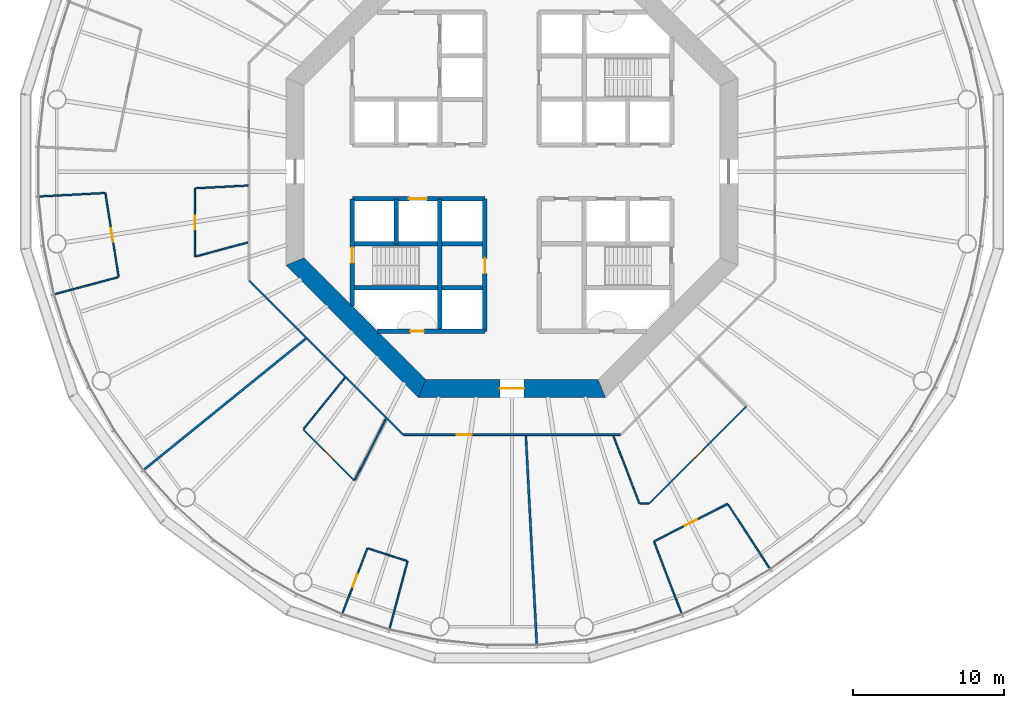
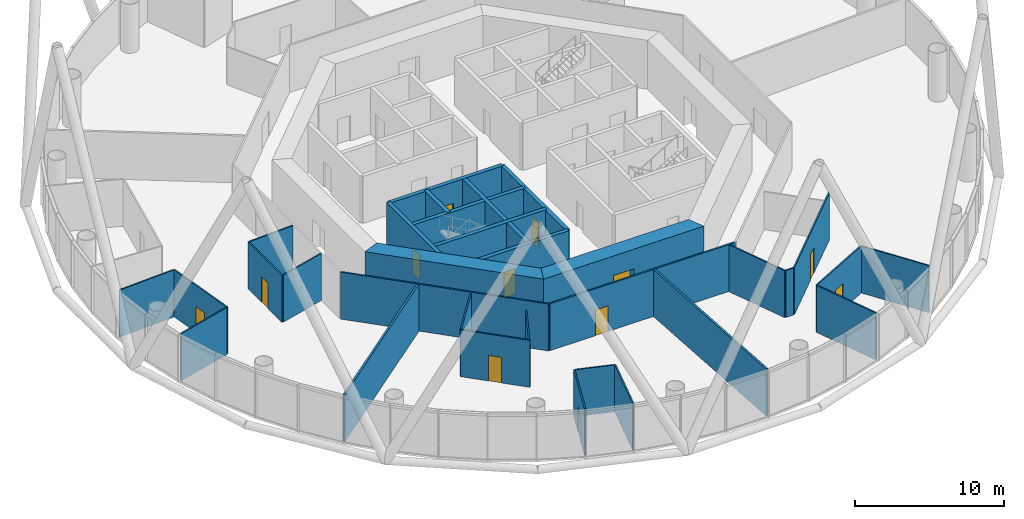
# One storey, part 3 of 13: 32 walls, 12 doors, 12 openings.
"""IFC4 building model written with IfcOpenShell, lengths in metres."""

from ifc_helpers import new_model, si_unit, direction, frame, frame_2d, origin, place, context, subcontext, project, spatial, polyline, rectangle, outline, extrude, material, layer, layer_set, type_object, element, fill, save


model = new_model("IFC4")

# Units and contexts
model_context = context("Model", 3, precision=1e-05, world=origin(), true_north=direction((0.0, 1.0)))
body_context = subcontext(model_context, "Body", "Model", "MODEL_VIEW")
ifc_project = project(units=[si_unit("LENGTHUNIT", "METRE"), si_unit("AREAUNIT", "SQUARE_METRE"), si_unit("VOLUMEUNIT", "CUBIC_METRE"), si_unit("PLANEANGLEUNIT", "RADIAN"), si_unit("MASSUNIT", "GRAM", prefix="KILO")], contexts=[model_context])

# Site, building, storey
site_placement = place(None, origin())
site = spatial("IfcSite", under=ifc_project, at=site_placement, CompositionType="ELEMENT")
building_placement = place(site_placement, origin())
building = spatial("IfcBuilding", under=site, at=building_placement, Name="Entoto Ring Tower", CompositionType="ELEMENT")
storey_placement = place(building_placement, frame((0.0, 0.0, 96.0)))
storey = spatial("IfcBuildingStorey", under=building, at=storey_placement, Name="L21", CompositionType="ELEMENT", Elevation=96.0)

# Wall, opening, door
ifc_material_1 = material(Name="Concrete C40/50", Category="concrete")
ifc_layer_1 = layer(ifc_material_1, 0.300048828125)
ifc_layer_set_1 = layer_set([ifc_layer_1], Name="Concrete C40/50")
wall_type_1 = type_object("IfcWallType", Name="Core enclosure wall 300 mm reinforced concrete", PredefinedType="SOLIDWALL", material=ifc_layer_set_1)
wall_1_placement = place(storey_placement, frame((88.199951171875, 69.39990234375, 0.0), z_axis=(0.0, 0.0, 1.0), x_axis=(0.0, 1.0, 0.0)))
wall_1 = element("IfcWall", 1, at=wall_1_placement, inside=storey, type_object=wall_type_1, Name="wall-L21-009", PredefinedType="SOLIDWALL", context=body_context, shape_type="SweptSolid", body=[
    extrude(rectangle(XDim=8.800048828125, YDim=0.300048828125, at=frame_2d((4.39990234375, 0.0))), origin(), (0.0, 0.0, 1.0), 3.85009765625),
])
opening_1_placement = place(wall_1_placement, frame((3.85009765625, 0.0, 0.0)))
opening_1 = element("IfcOpeningElement", 2, at=opening_1_placement, cuts=wall_1, Name="Opening K-13", PredefinedType="OPENING", context=body_context, shape_type="SweptSolid", body=[
    extrude(rectangle(XDim=1.0, YDim=2.10009765625, at=frame_2d((0.5, 1.050048828125))), frame((0.0, 0.16015625, 0.0), z_axis=(0.0, -1.0, 0.0), x_axis=(1.0, 0.0, 0.0)), (0.0, 0.0, 1.0), 0.320068359375),
])
ifc_material_2 = material(Name="Steel door leaf, fire rated", Category="steel")
ifc_layer_2 = layer(ifc_material_2, 0.050048828125)
ifc_layer_set_2 = layer_set([ifc_layer_2], Name="Steel door leaf, fire rated")
door_type_1 = type_object("IfcDoorType", Name="Accessible door 1000 x 2100 single leaf", OperationType="NOTDEFINED", PredefinedType="DOOR", material=ifc_layer_set_2)
door_1_placement = place(opening_1_placement, origin())
door_1 = element("IfcDoor", 3, at=door_1_placement, inside=storey, type_object=door_type_1, Name="Door K-13", OperationType="SINGLE_SWING_LEFT", OverallHeight=2.10009765625, OverallWidth=1.0, PredefinedType="DOOR", context=body_context, shape_type="SweptSolid", body=[
    extrude(rectangle(XDim=1.0, YDim=2.10009765625, at=frame_2d((0.5, 1.050048828125))), frame((0.0, 0.02490234375, 0.0), z_axis=(0.0, -1.0, 0.0), x_axis=(1.0, 0.0, 0.0)), (0.0, 0.0, 1.0), 0.050048828125),
])
fill(opening_1, door_1)

# Walls
wall_2_placement = place(storey_placement, frame((85.199951171875, 69.39990234375, 0.0), z_axis=(0.0, 0.0, 1.0), x_axis=(0.0, 1.0, 0.0)))
element("IfcWall", 4, at=wall_2_placement, inside=storey, type_object=wall_type_1, Name="wall-L21-011", PredefinedType="SOLIDWALL", context=body_context, shape_type="SweptSolid", body=[
    extrude(rectangle(XDim=8.800048828125, YDim=0.300048828125, at=frame_2d((4.39990234375, 0.0))), origin(), (0.0, 0.0, 1.0), 3.85009765625),
])
wall_3_placement = place(storey_placement, frame((82.300048828125, 75.199951171875, 0.0), z_axis=(0.0, 0.0, 1.0), x_axis=(0.0, 1.0, 0.0)))
element("IfcWall", 5, at=wall_3_placement, inside=storey, type_object=wall_type_1, Name="wall-L21-013", PredefinedType="SOLIDWALL", context=body_context, shape_type="SweptSolid", body=[
    extrude(rectangle(XDim=3.0, YDim=0.300048828125, at=frame_2d((1.5, 0.0))), origin(), (0.0, 0.0, 1.0), 3.85009765625),
])

# Wall, opening, door
wall_4_placement = place(storey_placement, frame((79.39990234375, 71.083984375, 0.0), z_axis=(0.0, 0.0, 1.0), x_axis=(0.0, 1.0, 0.0)))
wall_4 = element("IfcWall", 6, at=wall_4_placement, inside=storey, type_object=wall_type_1, Name="wall-L21-015", PredefinedType="SOLIDWALL", context=body_context, shape_type="SweptSolid", body=[
    extrude(rectangle(XDim=7.115966796875, YDim=0.300048828125, at=frame_2d((3.55810546875, 0.0))), origin(), (0.0, 0.0, 1.0), 3.85009765625),
])
opening_2_placement = place(wall_4_placement, frame((2.8662109375, 0.0, 0.0)))
opening_2 = element("IfcOpeningElement", 7, at=opening_2_placement, cuts=wall_4, Name="Opening K-17", PredefinedType="OPENING", context=body_context, shape_type="SweptSolid", body=[
    extrude(rectangle(XDim=1.0, YDim=2.10009765625, at=frame_2d((0.5, 1.050048828125))), frame((0.0, 0.16015625, 0.0), z_axis=(0.0, -1.0, 0.0), x_axis=(1.0, 0.0, 0.0)), (0.0, 0.0, 1.0), 0.320068359375),
])
ifc_material_3 = material(Name="Steel door leaf, fire rated", Category="steel")
ifc_layer_3 = layer(ifc_material_3, 0.050048828125)
ifc_layer_set_3 = layer_set([ifc_layer_3], Name="Steel door leaf, fire rated")
door_type_2 = type_object("IfcDoorType", Name="Fire door FD60 1000 x 2100 single leaf", OperationType="NOTDEFINED", PredefinedType="DOOR", material=ifc_layer_set_3)
door_2_placement = place(opening_2_placement, frame((1.0, 0.0, 0.0), z_axis=(0.0, 0.0, 1.0), x_axis=(-1.0, 0.0, 0.0)))
door_2 = element("IfcDoor", 8, at=door_2_placement, inside=storey, type_object=door_type_2, Name="Door K-17", OperationType="SINGLE_SWING_LEFT", OverallHeight=2.10009765625, OverallWidth=1.0, PredefinedType="DOOR", context=body_context, shape_type="SweptSolid", body=[
    extrude(rectangle(XDim=1.0, YDim=2.10009765625, at=frame_2d((0.5, 1.050048828125))), frame((0.0, 0.02490234375, 0.0), z_axis=(0.0, -1.0, 0.0), x_axis=(1.0, 0.0, 0.0)), (0.0, 0.0, 1.0), 0.050048828125),
])
fill(opening_2, door_2)

wall_5_placement = place(storey_placement, frame((81.083984375, 69.39990234375, 0.0), z_axis=(0.0, 0.0, 1.0), x_axis=(1.0, 0.0, 0.0)))
wall_5 = element("IfcWall", 9, at=wall_5_placement, inside=storey, type_object=wall_type_1, Name="wall-L21-017", PredefinedType="SOLIDWALL", context=body_context, shape_type="SweptSolid", body=[
    extrude(rectangle(XDim=7.115966796875, YDim=0.300048828125, at=frame_2d((3.55810546875, 0.0))), origin(), (0.0, 0.0, 1.0), 3.85009765625),
])
opening_3_placement = place(wall_5_placement, frame((2.166015625, 0.0, 0.0)))
opening_3 = element("IfcOpeningElement", 10, at=opening_3_placement, cuts=wall_5, Name="Opening K-20", PredefinedType="OPENING", context=body_context, shape_type="SweptSolid", body=[
    extrude(rectangle(XDim=0.89990234375, YDim=2.10009765625, at=frame_2d((0.449951171875, 1.050048828125))), frame((0.0, 0.16015625, 0.0), z_axis=(0.0, -1.0, 0.0), x_axis=(1.0, 0.0, 0.0)), (0.0, 0.0, 1.0), 0.320068359375),
])
ifc_material_4 = material(Name="Steel door leaf, fire rated", Category="steel")
ifc_layer_4 = layer(ifc_material_4, 0.050048828125)
ifc_layer_set_4 = layer_set([ifc_layer_4], Name="Steel door leaf, fire rated")
door_type_3 = type_object("IfcDoorType", Name="Riser door FD60 900 x 2100 single leaf", OperationType="NOTDEFINED", PredefinedType="DOOR", material=ifc_layer_set_4)
door_3_placement = place(opening_3_placement, origin())
door_3 = element("IfcDoor", 11, at=door_3_placement, inside=storey, type_object=door_type_3, Name="Door K-20", OperationType="SINGLE_SWING_RIGHT", OverallHeight=2.10009765625, OverallWidth=0.89990234375, PredefinedType="DOOR", context=body_context, shape_type="SweptSolid", body=[
    extrude(rectangle(XDim=0.89990234375, YDim=2.10009765625, at=frame_2d((0.449951171875, 1.050048828125))), frame((0.0, 0.02490234375, 0.0), z_axis=(0.0, -1.0, 0.0), x_axis=(1.0, 0.0, 0.0)), (0.0, 0.0, 1.0), 0.050048828125),
])
fill(opening_3, door_3)

# Walls
for number, where, z_axis, x_axis, name in (
    (12, (79.39990234375, 72.300048828125, 0.0), (0.0, 0.0, 1.0), (1.0, 0.0, 0.0), "wall-L21-019"),
    (13, (79.39990234375, 75.199951171875, 0.0), (0.0, 0.0, 1.0), (1.0, 0.0, 0.0), "wall-L21-021"),
):
    element("IfcWall", number, at=place(storey_placement, frame(where, z_axis=z_axis, x_axis=x_axis)), inside=storey, type_object=wall_type_1, Name=name, PredefinedType="SOLIDWALL", context=body_context, shape_type="SweptSolid", body=[
        extrude(rectangle(XDim=8.800048828125, YDim=0.300048828125, at=frame_2d((4.39990234375, 0.0))), origin(), (0.0, 0.0, 1.0), 3.85009765625),
    ])

# Wall, opening, door
wall_6_placement = place(storey_placement, frame((79.39990234375, 78.199951171875, 0.0), z_axis=(0.0, 0.0, 1.0), x_axis=(1.0, 0.0, 0.0)))
wall_6 = element("IfcWall", 14, at=wall_6_placement, inside=storey, type_object=wall_type_1, Name="wall-L21-023", PredefinedType="SOLIDWALL", context=body_context, shape_type="SweptSolid", body=[
    extrude(rectangle(XDim=8.800048828125, YDim=0.300048828125, at=frame_2d((4.39990234375, 0.0))), origin(), (0.0, 0.0, 1.0), 3.85009765625),
])
opening_4_placement = place(wall_6_placement, frame((3.75, 0.0, 0.0)))
opening_4 = element("IfcOpeningElement", 15, at=opening_4_placement, cuts=wall_6, Name="Opening LD", PredefinedType="OPENING", context=body_context, shape_type="SweptSolid", body=[
    extrude(rectangle(XDim=1.199951171875, YDim=2.10009765625, at=frame_2d((0.60009765625, 1.050048828125))), frame((0.0, 0.16015625, 0.0), z_axis=(0.0, -1.0, 0.0), x_axis=(1.0, 0.0, 0.0)), (0.0, 0.0, 1.0), 0.320068359375),
])
ifc_material_5 = material(Name="Steel and glass door leaf", Category="steel")
ifc_layer_5 = layer(ifc_material_5, 0.050048828125)
ifc_layer_set_5 = layer_set([ifc_layer_5], Name="Steel and glass door leaf")
door_type_4 = type_object("IfcDoorType", Name="Landing door 1200 x 2100 sliding", OperationType="DOUBLE_DOOR_SLIDING", PredefinedType="DOOR", material=ifc_layer_set_5)
door_4_placement = place(opening_4_placement, origin())
door_4 = element("IfcDoor", 16, at=door_4_placement, inside=storey, type_object=door_type_4, Name="Landing door LB6-LR", OperationType="SLIDING_TO_RIGHT", OverallHeight=2.10009765625, OverallWidth=1.199951171875, PredefinedType="DOOR", context=body_context, shape_type="SweptSolid", body=[
    extrude(rectangle(XDim=1.199951171875, YDim=2.10009765625, at=frame_2d((0.60009765625, 1.050048828125))), frame((0.0, 0.02490234375, 0.0), z_axis=(0.0, -1.0, 0.0), x_axis=(1.0, 0.0, 0.0)), (0.0, 0.0, 1.0), 0.050048828125),
])
fill(opening_4, door_4)

# Wall
ifc_material_6 = material(Name="Concrete C60/75", Category="concrete")
ifc_layer_6 = layer(ifc_material_6, 1.199951171875)
ifc_layer_set_6 = layer_set([ifc_layer_6], Name="Concrete C60/75")
wall_type_2 = type_object("IfcWallType", Name="Core shear wall 1200 mm reinforced concrete C60/75", PredefinedType="SHEAR", material=ifc_layer_set_6)
wall_7_placement = place(storey_placement, frame((75.60009765625, 74.035400390625, 0.0), z_axis=(0.0, 0.0, 1.0), x_axis=(0.707106781187, -0.707106781187, 0.0)))
element("IfcWall", 17, at=wall_7_placement, inside=storey, type_object=wall_type_2, Name="wall-L21-core-5", PredefinedType="SHEAR", context=body_context, shape_type="SweptSolid", body=[
    extrude(outline(polyline([(-0.24853515625, -0.60009765625), (12.177734375, -0.60009765625), (11.6806640625, 0.60009765625), (0.24853515625, 0.60009765625), (-0.24853515625, -0.60009765625)])), origin(), (0.0, 0.0, 1.0), 4.0),
])

# Wall, opening, door
wall_8_placement = place(storey_placement, frame((84.035400390625, 65.60009765625, 0.0), z_axis=(0.0, 0.0, 1.0), x_axis=(1.0, 0.0, 0.0)))
wall_8 = element("IfcWall", 18, at=wall_8_placement, inside=storey, type_object=wall_type_2, Name="wall-L21-core-6", PredefinedType="SHEAR", context=body_context, shape_type="SweptSolid", body=[
    extrude(outline(polyline([(-0.24853515625, -0.60009765625), (12.177734375, -0.60009765625), (11.6806640625, 0.60009765625), (0.24853515625, 0.60009765625), (-0.24853515625, -0.60009765625)])), origin(), (0.0, 0.0, 1.0), 4.0),
])
opening_5_placement = place(wall_8_placement, frame((5.164794921875, 0.0, 0.0)))
opening_5 = element("IfcOpeningElement", 19, at=opening_5_placement, cuts=wall_8, Name="Opening K-04", PredefinedType="OPENING", context=body_context, shape_type="SweptSolid", body=[
    extrude(rectangle(XDim=1.60009765625, YDim=2.39990234375, at=frame_2d((0.800048828125, 1.199951171875))), frame((0.0, 0.60986328125, 0.0), z_axis=(0.0, -1.0, 0.0), x_axis=(1.0, 0.0, 0.0)), (0.0, 0.0, 1.0), 1.219970703125),
])
ifc_material_7 = material(Name="Steel door leaf, fire rated", Category="steel")
ifc_layer_7 = layer(ifc_material_7, 0.050048828125)
ifc_layer_set_7 = layer_set([ifc_layer_7], Name="Steel door leaf, fire rated")
door_type_5 = type_object("IfcDoorType", Name="Entrance door FD60 1600 x 2400 double leaf", OperationType="DOUBLE_DOOR_SINGLE_SWING", PredefinedType="DOOR", material=ifc_layer_set_7)
door_5_placement = place(opening_5_placement, origin())
door_5 = element("IfcDoor", 20, at=door_5_placement, inside=storey, type_object=door_type_5, Name="Entrance door K-04", OperationType="DOUBLE_DOOR_SINGLE_SWING", OverallHeight=2.39990234375, OverallWidth=1.60009765625, PredefinedType="DOOR", context=body_context, shape_type="SweptSolid", body=[
    extrude(rectangle(XDim=1.60009765625, YDim=2.39990234375, at=frame_2d((0.800048828125, 1.199951171875))), frame((0.0, 0.02490234375, 0.0), z_axis=(0.0, -1.0, 0.0), x_axis=(1.0, 0.0, 0.0)), (0.0, 0.0, 1.0), 0.050048828125),
])
fill(opening_5, door_5)

# Wall
ifc_material_8 = material(Name="Fire-resisting plasterboard on steel studs", Category="steel")
ifc_layer_8 = layer(ifc_material_8, 0.125)
ifc_layer_set_8 = layer_set([ifc_layer_8], Name="Fire-resisting plasterboard on steel studs")
wall_type_3 = type_object("IfcWallType", Name="Corridor wall 125 mm one-hour plasterboard on steel studs", PredefinedType="PARTITIONING", material=ifc_layer_set_8)
wall_9_placement = place(storey_placement, frame((82.766845703125, 62.53759765625, 0.0), z_axis=(0.0, 0.0, 1.0), x_axis=(-0.707106781187, 0.707106781187, 0.0)))
element("IfcWall", 21, at=wall_9_placement, inside=storey, type_object=wall_type_3, Name="partition-L21-002", PredefinedType="PARTITIONING", context=body_context, shape_type="SweptSolid", body=[
    extrude(rectangle(XDim=14.46630859375, YDim=0.125, at=frame_2d((7.233154296875, 0.0))), origin(), (0.0, 0.0, 1.0), 3.85009765625),
])

# Wall, opening, door
wall_10_placement = place(storey_placement, frame((82.810791015625, 62.53759765625, 0.0), z_axis=(0.0, 0.0, 1.0), x_axis=(1.0, 0.0, 0.0)))
wall_10 = element("IfcWall", 22, at=wall_10_placement, inside=storey, type_object=wall_type_3, Name="partition-L21-006", PredefinedType="PARTITIONING", context=body_context, shape_type="SweptSolid", body=[
    extrude(rectangle(XDim=14.37841796875, YDim=0.125, at=frame_2d((7.189208984375, 0.0))), origin(), (0.0, 0.0, 1.0), 3.85009765625),
])
opening_6_placement = place(wall_10_placement, frame((3.5302734375, 0.0, 0.0)))
opening_6 = element("IfcOpeningElement", 23, at=opening_6_placement, cuts=wall_10, Name="Opening A09-D14", PredefinedType="OPENING", context=body_context, shape_type="SweptSolid", body=[
    extrude(rectangle(XDim=1.0, YDim=2.10009765625, at=frame_2d((0.5, 1.050048828125))), frame((0.0, 0.072509765625, 0.0), z_axis=(0.0, -1.0, 0.0), x_axis=(1.0, 0.0, 0.0)), (0.0, 0.0, 1.0), 0.14501953125),
])
ifc_material_9 = material(Name="Fire-resisting timber door set", Category="wood")
door_type_6 = type_object("IfcDoorType", Name="Door 1000 x 2100 single leaf FD30S fire door", OperationType="NOTDEFINED", PredefinedType="DOOR", material=ifc_material_9)
door_6_placement = place(opening_6_placement, frame((1.0, 0.0, 0.0), z_axis=(0.0, 0.0, 1.0), x_axis=(-1.0, 0.0, 0.0)))
door_6 = element("IfcDoor", 24, at=door_6_placement, inside=storey, type_object=door_type_6, Name="Door A09-D14", OperationType="SINGLE_SWING_LEFT", OverallHeight=2.10009765625, OverallWidth=1.0, PredefinedType="DOOR", context=body_context, shape_type="SweptSolid", body=[
    extrude(rectangle(XDim=1.0, YDim=2.10009765625, at=frame_2d((0.5, 1.050048828125))), frame((0.0, 0.02490234375, 0.0), z_axis=(0.0, -1.0, 0.0), x_axis=(1.0, 0.0, 0.0)), (0.0, 0.0, 1.0), 0.050048828125),
])
fill(opening_6, door_6)

ifc_material_10 = material(Name="Plasterboard on steel studs", Category="steel")
ifc_layer_9 = layer(ifc_material_10, 0.10009765625)
ifc_layer_set_9 = layer_set([ifc_layer_9], Name="Plasterboard on steel studs")
wall_type_4 = type_object("IfcWallType", Name="Partition 100 mm plasterboard on steel studs", PredefinedType="PARTITIONING", material=ifc_layer_set_9)
wall_11_placement = place(storey_placement, frame((99.126220703125, 57.967529296875, 0.0), z_axis=(0.0, 0.0, 1.0), x_axis=(0.707106781187, 0.707106781187, 0.0)))
wall_11 = element("IfcWall", 25, at=wall_11_placement, inside=storey, type_object=wall_type_4, Name="partition-L21-014", PredefinedType="PARTITIONING", context=body_context, shape_type="SweptSolid", body=[
    extrude(rectangle(XDim=9.1259765625, YDim=0.10009765625, at=frame_2d((4.56298828125, 0.0))), origin(), (0.0, 0.0, 1.0), 3.85009765625),
])
opening_7_placement = place(wall_11_placement, frame((4.113037109375, 0.0, 0.0)))
opening_7 = element("IfcOpeningElement", 26, at=opening_7_placement, cuts=wall_11, Name="Opening A09-D02", PredefinedType="OPENING", context=body_context, shape_type="SweptSolid", body=[
    extrude(rectangle(XDim=0.89990234375, YDim=2.10009765625, at=frame_2d((0.449951171875, 1.050048828125))), frame((0.0, 0.06005859375, 0.0), z_axis=(0.0, -1.0, 0.0), x_axis=(1.0, 0.0, 0.0)), (0.0, 0.0, 1.0), 0.1201171875),
])
ifc_material_11 = material(Name="Veneered timber door leaf in timber frame", Category="wood")
door_type_7 = type_object("IfcDoorType", Name="Door 900 x 2100 single leaf timber veneer", OperationType="NOTDEFINED", PredefinedType="DOOR", material=ifc_material_11)
door_7_placement = place(opening_7_placement, origin())
door_7 = element("IfcDoor", 27, at=door_7_placement, inside=storey, type_object=door_type_7, Name="Door A09-D02", OperationType="SINGLE_SWING_RIGHT", OverallHeight=2.10009765625, OverallWidth=0.89990234375, PredefinedType="DOOR", context=body_context, shape_type="SweptSolid", body=[
    extrude(rectangle(XDim=0.89990234375, YDim=2.10009765625, at=frame_2d((0.449951171875, 1.050048828125))), frame((0.0, 0.02490234375, 0.0), z_axis=(0.0, -1.0, 0.0), x_axis=(1.0, 0.0, 0.0)), (0.0, 0.0, 1.0), 0.050048828125),
])
fill(opening_7, door_7)

wall_12_placement = place(storey_placement, frame((63.88134765625, 73.00146484375, 0.0), z_axis=(0.0, 0.0, 1.0), x_axis=(-0.156430514492, 0.987688966292, 0.0)))
wall_12 = element("IfcWall", 28, at=wall_12_placement, inside=storey, type_object=wall_type_4, Name="partition-L21-018", PredefinedType="PARTITIONING", context=body_context, shape_type="SweptSolid", body=[
    extrude(rectangle(XDim=5.65283203125, YDim=0.10009765625, at=frame_2d((2.826416015625, 0.0))), origin(), (0.0, 0.0, 1.0), 3.85009765625),
])
opening_8_placement = place(wall_12_placement, frame((2.37646484375, 0.0, 0.0)))
opening_8 = element("IfcOpeningElement", 29, at=opening_8_placement, cuts=wall_12, Name="Opening A09-D13", PredefinedType="OPENING", context=body_context, shape_type="SweptSolid", body=[
    extrude(rectangle(XDim=0.89990234375, YDim=2.10009765625, at=frame_2d((0.449951171875, 1.050048828125))), frame((0.0, 0.06005859375, 0.0), z_axis=(0.0, -1.0, 0.0), x_axis=(1.0, 0.0, 0.0)), (0.0, 0.0, 1.0), 0.1201171875),
])
door_8_placement = place(opening_8_placement, origin())
door_8 = element("IfcDoor", 30, at=door_8_placement, inside=storey, type_object=door_type_7, Name="Door A09-D13", OperationType="SINGLE_SWING_LEFT", OverallHeight=2.10009765625, OverallWidth=0.89990234375, PredefinedType="DOOR", context=body_context, shape_type="SweptSolid", body=[
    extrude(rectangle(XDim=0.89990234375, YDim=2.10009765625, at=frame_2d((0.449951171875, 1.050048828125))), frame((0.0, 0.02490234375, 0.0), z_axis=(0.0, -1.0, 0.0), x_axis=(1.0, 0.0, 0.0)), (0.0, 0.0, 1.0), 0.050048828125),
])
fill(opening_8, door_8)

wall_13_placement = place(storey_placement, frame((99.425048828125, 55.44677734375, 0.0), z_axis=(0.0, 0.0, 1.0), x_axis=(0.890991035008, 0.454020897686, 0.0)))
wall_13 = element("IfcWall", 31, at=wall_13_placement, inside=storey, type_object=wall_type_4, Name="partition-L21-019", PredefinedType="PARTITIONING", context=body_context, shape_type="SweptSolid", body=[
    extrude(rectangle(XDim=5.498291015625, YDim=0.10009765625, at=frame_2d((2.7490234375, 0.0))), origin(), (0.0, 0.0, 1.0), 3.85009765625),
])
opening_9_placement = place(wall_13_placement, frame((2.299072265625, 0.0, 0.0)))
opening_9 = element("IfcOpeningElement", 32, at=opening_9_placement, cuts=wall_13, Name="Opening A09-D03", PredefinedType="OPENING", context=body_context, shape_type="SweptSolid", body=[
    extrude(rectangle(XDim=0.89990234375, YDim=2.10009765625, at=frame_2d((0.449951171875, 1.050048828125))), frame((0.0, 0.06005859375, 0.0), z_axis=(0.0, -1.0, 0.0), x_axis=(1.0, 0.0, 0.0)), (0.0, 0.0, 1.0), 0.1201171875),
])
door_9_placement = place(opening_9_placement, frame((0.89990234375, 0.0, 0.0), z_axis=(0.0, 0.0, 1.0), x_axis=(-1.0, 0.0, 0.0)))
door_9 = element("IfcDoor", 33, at=door_9_placement, inside=storey, type_object=door_type_7, Name="Door A09-D03", OperationType="SINGLE_SWING_LEFT", OverallHeight=2.10009765625, OverallWidth=0.89990234375, PredefinedType="DOOR", context=body_context, shape_type="SweptSolid", body=[
    extrude(rectangle(XDim=0.89990234375, YDim=2.10009765625, at=frame_2d((0.449951171875, 1.050048828125))), frame((0.0, 0.02490234375, 0.0), z_axis=(0.0, -1.0, 0.0), x_axis=(1.0, 0.0, 0.0)), (0.0, 0.0, 1.0), 0.050048828125),
])
fill(opening_9, door_9)

# Walls
wall_14_placement = place(storey_placement, frame((101.26708984375, 50.648193359375, 0.0), z_axis=(0.0, 0.0, 1.0), x_axis=(-0.358371567867, 0.933579037545, 0.0)))
element("IfcWall", 34, at=wall_14_placement, inside=storey, type_object=wall_type_4, Name="partition-L21-020", PredefinedType="PARTITIONING", context=body_context, shape_type="SweptSolid", body=[
    extrude(rectangle(XDim=5.09033203125, YDim=0.10009765625, at=frame_2d((2.545166015625, 0.0))), origin(), (0.0, 0.0, 1.0), 3.85009765625),
])
wall_15_placement = place(storey_placement, frame((107.12353515625, 53.632080078125, 0.0), z_axis=(0.0, 0.0, 1.0), x_axis=(-0.544632605998, 0.838674742963, 0.0)))
element("IfcWall", 35, at=wall_15_placement, inside=storey, type_object=wall_type_4, Name="partition-L21-021", PredefinedType="PARTITIONING", context=body_context, shape_type="SweptSolid", body=[
    extrude(rectangle(XDim=5.090576171875, YDim=0.10009765625, at=frame_2d((2.54541015625, 0.0))), origin(), (0.0, 0.0, 1.0), 3.85009765625),
])
wall_16_placement = place(storey_placement, frame((98.45751953125, 57.967529296875, 0.0), z_axis=(0.0, 0.0, 1.0), x_axis=(-0.358400708391, 0.933567850895, 0.0)))
element("IfcWall", 36, at=wall_16_placement, inside=storey, type_object=wall_type_4, Name="partition-L21-024", PredefinedType="PARTITIONING", context=body_context, shape_type="SweptSolid", body=[
    extrude(rectangle(XDim=4.809326171875, YDim=0.10009765625, at=frame_2d((2.40478515625, 0.0))), origin(), (0.0, 0.0, 1.0), 3.85009765625),
])

# Wall, opening, door
wall_17_placement = place(storey_placement, frame((79.544921875, 59.48046875, 0.0), z_axis=(0.0, 0.0, 1.0), x_axis=(-0.707132135057, 0.707081426407, 0.0)))
wall_17 = element("IfcWall", 37, at=wall_17_placement, inside=storey, type_object=wall_type_4, Name="partition-L21-027", PredefinedType="PARTITIONING", context=body_context, shape_type="SweptSolid", body=[
    extrude(rectangle(XDim=4.814697265625, YDim=0.10009765625, at=frame_2d((2.4072265625, 0.0))), origin(), (0.0, 0.0, 1.0), 3.85009765625),
])
opening_10_placement = place(wall_17_placement, frame((1.957275390625, 0.0, 0.0)))
opening_10 = element("IfcOpeningElement", 38, at=opening_10_placement, cuts=wall_17, Name="Opening A09-D15", PredefinedType="OPENING", context=body_context, shape_type="SweptSolid", body=[
    extrude(rectangle(XDim=0.89990234375, YDim=2.10009765625, at=frame_2d((0.449951171875, 1.050048828125))), frame((0.0, 0.06005859375, 0.0), z_axis=(0.0, -1.0, 0.0), x_axis=(1.0, 0.0, 0.0)), (0.0, 0.0, 1.0), 0.1201171875),
])
door_10_placement = place(opening_10_placement, frame((0.89990234375, 0.0, 0.0), z_axis=(0.0, 0.0, 1.0), x_axis=(-1.0, 0.0, 0.0)))
door_10 = element("IfcDoor", 39, at=door_10_placement, inside=storey, type_object=door_type_7, Name="Door A09-D15", OperationType="SINGLE_SWING_RIGHT", OverallHeight=2.10009765625, OverallWidth=0.89990234375, PredefinedType="DOOR", context=body_context, shape_type="SweptSolid", body=[
    extrude(rectangle(XDim=0.89990234375, YDim=2.10009765625, at=frame_2d((0.449951171875, 1.050048828125))), frame((0.0, 0.02490234375, 0.0), z_axis=(0.0, -1.0, 0.0), x_axis=(1.0, 0.0, 0.0)), (0.0, 0.0, 1.0), 0.050048828125),
])
fill(opening_10, door_10)

wall_18_placement = place(storey_placement, frame((78.73291015625, 50.648193359375, 0.0), z_axis=(0.0, 0.0, 1.0), x_axis=(0.358347077335, 0.93358843832, 0.0)))
wall_18 = element("IfcWall", 40, at=wall_18_placement, inside=storey, type_object=wall_type_4, Name="partition-L21-030", PredefinedType="PARTITIONING", context=body_context, shape_type="SweptSolid", body=[
    extrude(rectangle(XDim=4.66015625, YDim=0.10009765625, at=frame_2d((2.330078125, 0.0))), origin(), (0.0, 0.0, 1.0), 3.85009765625),
])
opening_11_placement = place(wall_18_placement, frame((1.8798828125, 0.0, 0.0)))
opening_11 = element("IfcOpeningElement", 41, at=opening_11_placement, cuts=wall_18, Name="Opening A09-D16", PredefinedType="OPENING", context=body_context, shape_type="SweptSolid", body=[
    extrude(rectangle(XDim=0.89990234375, YDim=2.10009765625, at=frame_2d((0.449951171875, 1.050048828125))), frame((0.0, 0.06005859375, 0.0), z_axis=(0.0, -1.0, 0.0), x_axis=(1.0, 0.0, 0.0)), (0.0, 0.0, 1.0), 0.1201171875),
])
door_11_placement = place(opening_11_placement, frame((0.89990234375, 0.0, 0.0), z_axis=(0.0, 0.0, 1.0), x_axis=(-1.0, 0.0, 0.0)))
door_11 = element("IfcDoor", 42, at=door_11_placement, inside=storey, type_object=door_type_7, Name="Door A09-D16", OperationType="SINGLE_SWING_RIGHT", OverallHeight=2.10009765625, OverallWidth=0.89990234375, PredefinedType="DOOR", context=body_context, shape_type="SweptSolid", body=[
    extrude(rectangle(XDim=0.89990234375, YDim=2.10009765625, at=frame_2d((0.449951171875, 1.050048828125))), frame((0.0, 0.02490234375, 0.0), z_axis=(0.0, -1.0, 0.0), x_axis=(1.0, 0.0, 0.0)), (0.0, 0.0, 1.0), 0.050048828125),
])
fill(opening_11, door_11)

# Wall
wall_19_placement = place(storey_placement, frame((81.86279296875, 49.63134765625, 0.0), z_axis=(0.0, 0.0, 1.0), x_axis=(0.258810282601, 0.965928174152, 0.0)))
element("IfcWall", 43, at=wall_19_placement, inside=storey, type_object=wall_type_4, Name="partition-L21-032", PredefinedType="PARTITIONING", context=body_context, shape_type="SweptSolid", body=[
    extrude(rectangle(XDim=4.659912109375, YDim=0.10009765625, at=frame_2d((2.330078125, 0.0))), origin(), (0.0, 0.0, 1.0), 3.85009765625),
])

# Wall, opening, door
wall_20_placement = place(storey_placement, frame((68.947509765625, 74.35888671875, 0.0), z_axis=(0.0, 0.0, 1.0), x_axis=(0.0, 1.0, 0.0)))
wall_20 = element("IfcWall", 44, at=wall_20_placement, inside=storey, type_object=wall_type_4, Name="partition-L21-034", PredefinedType="PARTITIONING", context=body_context, shape_type="SweptSolid", body=[
    extrude(rectangle(XDim=4.537841796875, YDim=0.10009765625, at=frame_2d((2.26904296875, 0.0))), origin(), (0.0, 0.0, 1.0), 3.85009765625),
])
opening_12_placement = place(wall_20_placement, frame((1.81884765625, 0.0, 0.0)))
opening_12 = element("IfcOpeningElement", 45, at=opening_12_placement, cuts=wall_20, Name="Opening A09-D11", PredefinedType="OPENING", context=body_context, shape_type="SweptSolid", body=[
    extrude(rectangle(XDim=0.89990234375, YDim=2.10009765625, at=frame_2d((0.449951171875, 1.050048828125))), frame((0.0, 0.06005859375, 0.0), z_axis=(0.0, -1.0, 0.0), x_axis=(1.0, 0.0, 0.0)), (0.0, 0.0, 1.0), 0.1201171875),
])
door_12_placement = place(opening_12_placement, frame((0.89990234375, 0.0, 0.0), z_axis=(0.0, 0.0, 1.0), x_axis=(-1.0, 0.0, 0.0)))
door_12 = element("IfcDoor", 46, at=door_12_placement, inside=storey, type_object=door_type_7, Name="Door A09-D11", OperationType="SINGLE_SWING_RIGHT", OverallHeight=2.10009765625, OverallWidth=0.89990234375, PredefinedType="DOOR", context=body_context, shape_type="SweptSolid", body=[
    extrude(rectangle(XDim=0.89990234375, YDim=2.10009765625, at=frame_2d((0.449951171875, 1.050048828125))), frame((0.0, 0.02490234375, 0.0), z_axis=(0.0, -1.0, 0.0), x_axis=(1.0, 0.0, 0.0)), (0.0, 0.0, 1.0), 0.050048828125),
])
fill(opening_12, door_12)

# Walls
wall_21_placement = place(storey_placement, frame((76.171630859375, 62.92333984375, 0.0), z_axis=(0.0, 0.0, 1.0), x_axis=(0.629287090395, 0.777172926615, 0.0)))
element("IfcWall", 47, at=wall_21_placement, inside=storey, type_object=wall_type_4, Name="partition-L21-035", PredefinedType="PARTITIONING", context=body_context, shape_type="SweptSolid", body=[
    extrude(rectangle(XDim=4.3466796875, YDim=0.10009765625, at=frame_2d((2.17333984375, 0.0))), origin(), (0.0, 0.0, 1.0), 3.85009765625),
])
for number, where, z_axis, x_axis, name in (
    (48, (59.63134765625, 71.86279296875, 0.0), (0.0, 0.0, 1.0), (0.965925005542, 0.258822108155, 0.0), "partition-L21-037"),
    (49, (58.60302734375, 78.3544921875, 0.0), (0.0, 0.0, 1.0), (0.99862835084, 0.0523585418, 0.0), "partition-L21-038"),
):
    element("IfcWall", number, at=place(storey_placement, frame(where, z_axis=z_axis, x_axis=x_axis)), inside=storey, type_object=wall_type_4, Name=name, PredefinedType="PARTITIONING", context=body_context, shape_type="SweptSolid", body=[
        extrude(rectangle(XDim=4.350341796875, YDim=0.10009765625, at=frame_2d((2.17529296875, 0.0))), origin(), (0.0, 0.0, 1.0), 3.85009765625),
    ])
wall_22_placement = place(storey_placement, frame((69.01025390625, 74.375732421875, 0.0), z_axis=(0.0, 0.0, 1.0), x_axis=(0.965917860746, 0.258848771085, 0.0)))
element("IfcWall", 50, at=wall_22_placement, inside=storey, type_object=wall_type_4, Name="partition-L21-041", PredefinedType="PARTITIONING", context=body_context, shape_type="SweptSolid", body=[
    extrude(rectangle(XDim=3.57373046875, YDim=0.10009765625, at=frame_2d((1.786865234375, 0.0))), origin(), (0.0, 0.0, 1.0), 3.85009765625),
])
wall_23_placement = place(storey_placement, frame((68.997314453125, 78.8994140625, 0.0), z_axis=(0.0, 0.0, 1.0), x_axis=(0.998633097748, 0.052267925939, 0.0)))
element("IfcWall", 51, at=wall_23_placement, inside=storey, type_object=wall_type_4, Name="partition-L21-042", PredefinedType="PARTITIONING", context=body_context, shape_type="SweptSolid", body=[
    extrude(rectangle(XDim=3.479736328125, YDim=0.10009765625, at=frame_2d((1.73974609375, 0.0))), origin(), (0.0, 0.0, 1.0), 3.85009765625),
])
wall_24_placement = place(storey_placement, frame((83.021240234375, 54.14794921875, 0.0), z_axis=(0.0, 0.0, 1.0), x_axis=(-0.951040705732, 0.309065650049, 0.0)))
element("IfcWall", 52, at=wall_24_placement, inside=storey, type_object=wall_type_4, Name="partition-L21-045", PredefinedType="PARTITIONING", context=body_context, shape_type="SweptSolid", body=[
    extrude(rectangle(XDim=2.703125, YDim=0.10009765625, at=frame_2d((1.3515625, 0.0))), origin(), (0.0, 0.0, 1.0), 3.85009765625),
])
wall_25_placement = place(storey_placement, frame((98.50390625, 57.967529296875, 0.0), z_axis=(0.0, 0.0, 1.0), x_axis=(1.0, 0.0, 0.0)))
element("IfcWall", 53, at=wall_25_placement, inside=storey, type_object=wall_type_4, Name="partition-L21-048", PredefinedType="PARTITIONING", context=body_context, shape_type="SweptSolid", body=[
    extrude(rectangle(XDim=0.587158203125, YDim=0.10009765625, at=frame_2d((0.29345703125, 0.0))), origin(), (0.0, 0.0, 1.0), 3.85009765625),
])
ifc_material_12 = material(Name="Plasterboard on steel studs", Category="steel")
ifc_layer_10 = layer(ifc_material_12, 0.10009765625)
ifc_layer_set_10 = layer_set([ifc_layer_10], Name="Plasterboard on steel studs")
wall_type_5 = type_object("IfcWallType", Name="Partition 100 mm plasterboard on steel studs, 3097 mm high", PredefinedType="PARTITIONING", material=ifc_layer_set_10)
wall_26_placement = place(storey_placement, frame((79.575927734375, 59.54150390625, 0.0), z_axis=(0.0, 0.0, 1.0), x_axis=(0.454009154691, 0.89099701877, 0.0)))
element("IfcWall", 54, at=wall_26_placement, inside=storey, type_object=wall_type_5, Name="partition-L21-028", PredefinedType="PARTITIONING", context=body_context, shape_type="SweptSolid", body=[
    extrude(rectangle(XDim=4.51806640625, YDim=0.10009765625, at=frame_2d((2.259033203125, 0.0))), origin(), (0.0, 0.0, 1.0), 3.096923828125),
])
ifc_material_13 = material(Name="Fire-resisting acoustic plasterboard on steel studs", Category="steel")
ifc_layer_11 = layer(ifc_material_13, 0.14990234375)
ifc_layer_set_11 = layer_set([ifc_layer_11], Name="Fire-resisting acoustic plasterboard on steel studs")
wall_type_6 = type_object("IfcWallType", Name="Party wall 150 mm one-hour acoustic plasterboard on steel studs", PredefinedType="PARTITIONING", material=ifc_layer_set_11)
wall_27_placement = place(storey_placement, frame((91.6455078125, 48.60302734375, 0.0), z_axis=(0.0, 0.0, 1.0), x_axis=(-0.052336456006, 0.998629508563, 0.0)))
element("IfcWall", 55, at=wall_27_placement, inside=storey, type_object=wall_type_6, Name="partition-L21-009", PredefinedType="PARTITIONING", context=body_context, shape_type="SweptSolid", body=[
    extrude(rectangle(XDim=13.88720703125, YDim=0.14990234375, at=frame_2d((6.943603515625, 0.0))), origin(), (0.0, 0.0, 1.0), 3.85009765625),
])
wall_28_placement = place(storey_placement, frame((65.56640625, 60.214111328125, 0.0), z_axis=(0.0, 0.0, 1.0), x_axis=(0.777143589664, 0.629323319959, 0.0)))
element("IfcWall", 56, at=wall_28_placement, inside=storey, type_object=wall_type_6, Name="partition-L21-011", PredefinedType="PARTITIONING", context=body_context, shape_type="SweptSolid", body=[
    extrude(rectangle(XDim=13.810791015625, YDim=0.14990234375, at=frame_2d((6.9052734375, 0.0))), origin(), (0.0, 0.0, 1.0), 3.85009765625),
])

save(model, "model.ifc")
